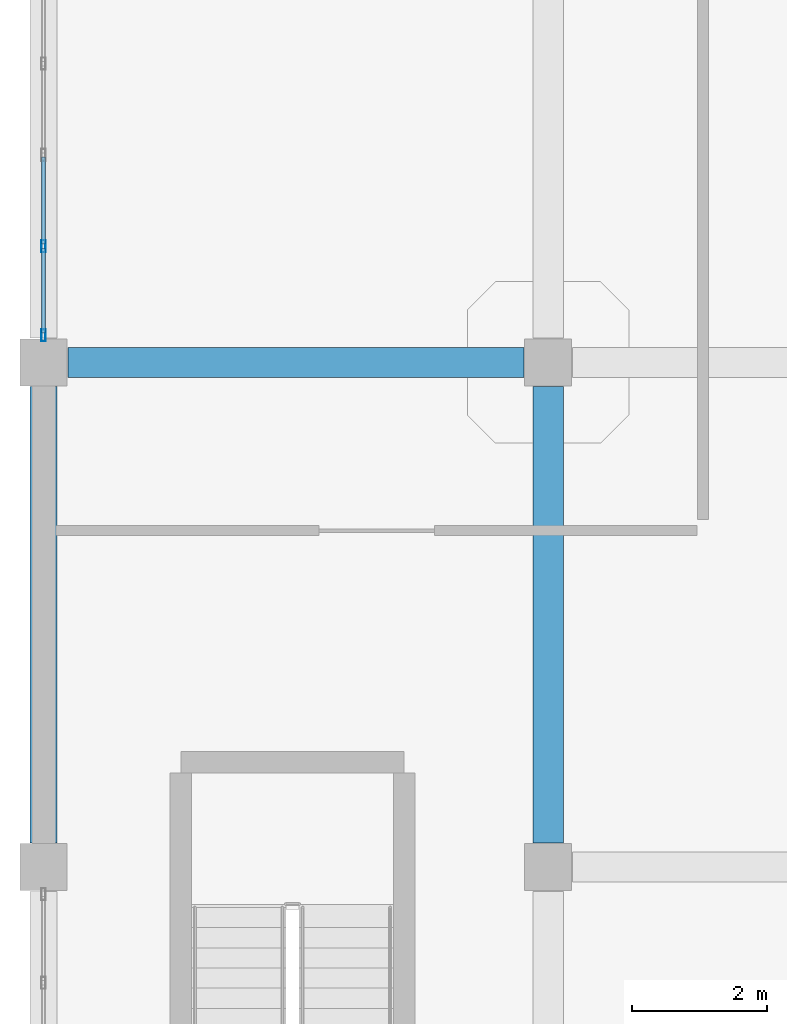
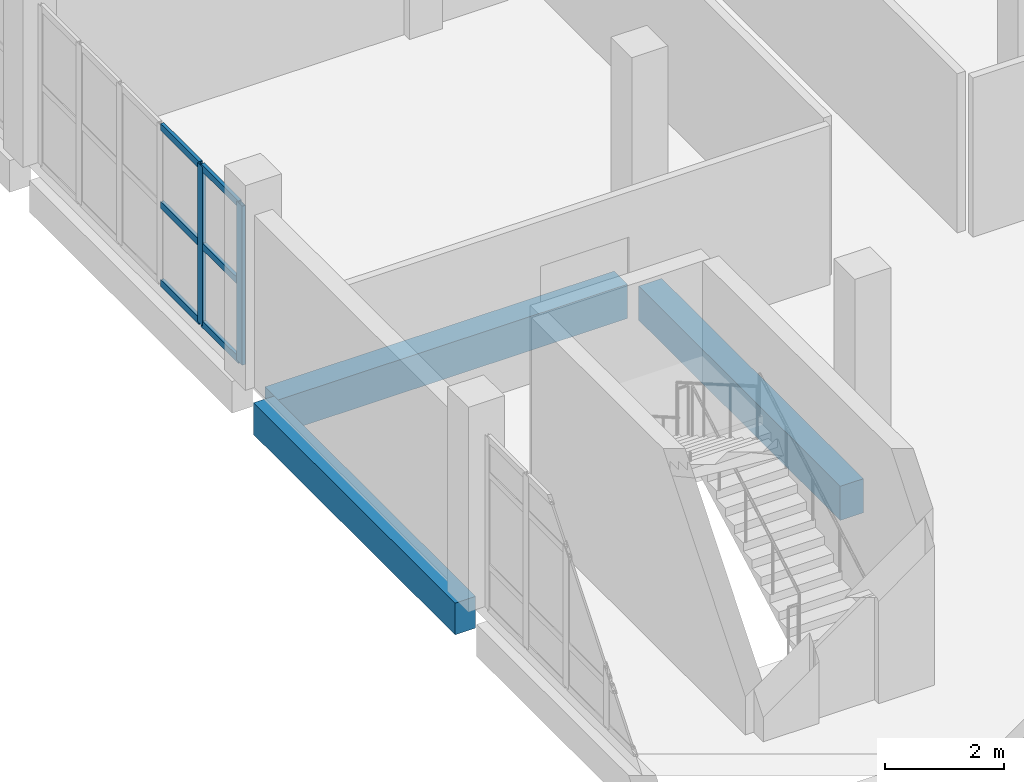
# One storey, part 33 of 164: 8 members, 3 beams, 1 element without a shape of its own.
"""IFC4 building model written with IfcOpenShell, lengths in metres."""

from ifc_helpers import new_model, si_unit, direction, frame, origin, origin_2d, place, context, subcontext, project, spatial, rectangle, hollow_rectangle, extrude, material, layer, layer_set, material_profile, profile_set, type_object, element, aggregate, save


model = new_model("IFC4")

# Units and contexts
model_context = context("Model", 3, precision=1e-05, world=origin(), true_north=direction((0.0, 1.0)))
body_context = subcontext(model_context, "Body", "Model", "MODEL_VIEW")
ifc_project = project(units=[si_unit("LENGTHUNIT", "METRE"), si_unit("AREAUNIT", "SQUARE_METRE"), si_unit("VOLUMEUNIT", "CUBIC_METRE"), si_unit("PLANEANGLEUNIT", "RADIAN"), si_unit("MASSUNIT", "GRAM", prefix="KILO")], contexts=[model_context])

# Site, building, storey
site_placement = place(None, origin())
site = spatial("IfcSite", under=ifc_project, at=site_placement, CompositionType="ELEMENT")
building_placement = place(site_placement, origin())
building = spatial("IfcBuilding", under=site, at=building_placement, Name="Mawjan Specialist Oncology Clinic", CompositionType="ELEMENT")
storey_placement = place(building_placement, frame((0.0, 0.0, 5.0)))
storey = spatial("IfcBuildingStorey", under=building, at=storey_placement, Name="L01", CompositionType="ELEMENT", Elevation=5.0)

# Beams
ifc_material_1 = material(Name="Concrete C40/50", Category="concrete")
ifc_material_profile_1 = material_profile(ifc_material_1, rectangle(XDim=0.449951171875, YDim=0.699951171875, at=origin_2d()), Name="RC BM 450x700", Category="concrete")
ifc_profile_set_1 = profile_set([ifc_material_profile_1], Name="Concrete C40/50")
beam_type_1 = type_object("IfcBeamType", Name="BM-450x700", PredefinedType="BEAM", material=ifc_profile_set_1)
beam_1_placement = place(storey_placement, frame((0.360107421875, 38.300048828125, -0.8701171875), z_axis=(1.0, 0.0, 0.0), x_axis=(0.0, 1.0, 0.0)))
element("IfcBeam", 1, at=beam_1_placement, inside=storey, type_object=beam_type_1, Name="L01 Collector Beam BM-L01-0250", PredefinedType="BEAM", context=body_context, shape_type="SweptSolid", body=[
    extrude(rectangle(XDim=0.449951171875, YDim=0.699951171875, at=origin_2d()), origin(), (0.0, 0.0, 1.0), 6.77978515625),
])
beam_2_placement = place(storey_placement, frame((7.5, 31.159912109375, -0.8701171875), z_axis=(0.0, 1.0, 0.0), x_axis=(-1.0, 0.0, 0.0)))
element("IfcBeam", 2, at=beam_2_placement, inside=storey, type_object=beam_type_1, Name="L01 Collector Beam BM-L01-0431", PredefinedType="BEAM", context=body_context, shape_type="SweptSolid", body=[
    extrude(rectangle(XDim=0.449951171875, YDim=0.699951171875, at=origin_2d()), origin(), (0.0, 0.0, 1.0), 6.780029296875),
])

# Curtain wall, members
ifc_material_2 = material(Name="Unitised spectrally selective aluminium curtain wall", Category="aluminium")
ifc_layer = layer(ifc_material_2, 0.179931640625, Name="Unitised spectrally selective aluminium curtain wall", Category="aluminium")
ifc_layer_set = layer_set([ifc_layer], Name="Unitised spectrally selective aluminium curtain wall")
curtain_wall_type = type_object("IfcCurtainWallType", Name="CW-74", PredefinedType="NOTDEFINED", material=ifc_layer_set)
curtain_wall_placement = place(storey_placement, origin())
curtain_wall = element("IfcCurtainWall", 3, at=curtain_wall_placement, inside=storey, type_object=curtain_wall_type, Name="L01 Unitised Curtain Wall CW-L01-147", PredefinedType="NOTDEFINED")
ifc_material_3 = material(Name="Thermally broken aluminium 6063-T6", Category="aluminium")
ifc_material_profile_2 = material_profile(ifc_material_3, hollow_rectangle(XDim=0.06494140625, YDim=0.179931640625, WallThickness=0.00390625, at=origin_2d()), Name="ALU MULLION 180x65x4", Category="aluminium")
ifc_profile_set_2 = profile_set([ifc_material_profile_2], Name="Thermally broken aluminium 6063-T6")
member_type_1 = type_object("IfcMemberType", Name="CW-M180", PredefinedType="MULLION", material=ifc_profile_set_2)
member_1_placement = place(storey_placement, frame((0.0, 38.702392578125, 0.0), z_axis=(0.0, 0.0, 1.0), x_axis=(-1.0, 0.0, 0.0)))
member_1 = element("IfcMember", 4, at=member_1_placement, type_object=member_type_1, Name="CW-74 mullion 1", PredefinedType="MULLION", context=body_context, shape_type="SweptSolid", body=[
    extrude(hollow_rectangle(XDim=0.06494140625, YDim=0.179931640625, WallThickness=0.00390625, at=origin_2d()), origin(), (0.0, 0.0, 1.0), 3.264892578125),
])
member_2_placement = place(storey_placement, frame((0.0, 40.027099609375, 0.0), z_axis=(0.0, 0.0, 1.0), x_axis=(-1.0, 0.0, 0.0)))
member_2 = element("IfcMember", 5, at=member_2_placement, type_object=member_type_1, Name="CW-74 mullion 2", PredefinedType="MULLION", context=body_context, shape_type="SweptSolid", body=[
    extrude(hollow_rectangle(XDim=0.06494140625, YDim=0.179931640625, WallThickness=0.00390625, at=origin_2d()), origin(), (0.0, 0.0, 1.0), 3.264892578125),
])
ifc_material_4 = material(Name="Thermally broken aluminium 6063-T6", Category="aluminium")
ifc_material_profile_3 = material_profile(ifc_material_4, hollow_rectangle(XDim=0.06494140625, YDim=0.139892578125, WallThickness=0.00390625, at=origin_2d()), Name="ALU TRANSOM 140x65x4", Category="aluminium")
ifc_profile_set_3 = profile_set([ifc_material_profile_3], Name="Thermally broken aluminium 6063-T6")
member_type_2 = type_object("IfcMemberType", Name="CW-T140", PredefinedType="USERDEFINED", material=ifc_profile_set_3)
member_3_placement = place(storey_placement, frame((0.0, 38.735107421875, 0.032470703125), z_axis=(0.0, 1.0, 0.0), x_axis=(-1.0, 0.0, 0.0)))
member_3 = element("IfcMember", 6, at=member_3_placement, type_object=member_type_2, Name="CW-74 transom 1.1", ObjectType="TRANSOM", PredefinedType="USERDEFINED", context=body_context, shape_type="SweptSolid", body=[
    extrude(hollow_rectangle(XDim=0.06494140625, YDim=0.139892578125, WallThickness=0.00390625, at=origin_2d()), origin(), (0.0, 0.0, 1.0), 1.25927734375),
])
member_4_placement = place(storey_placement, frame((0.0, 38.735107421875, 1.632568359375), z_axis=(0.0, 1.0, 0.0), x_axis=(-1.0, 0.0, 0.0)))
member_4 = element("IfcMember", 7, at=member_4_placement, type_object=member_type_2, Name="CW-74 transom 1.2", ObjectType="TRANSOM", PredefinedType="USERDEFINED", context=body_context, shape_type="SweptSolid", body=[
    extrude(hollow_rectangle(XDim=0.06494140625, YDim=0.139892578125, WallThickness=0.00390625, at=origin_2d()), origin(), (0.0, 0.0, 1.0), 1.25927734375),
])
member_5_placement = place(storey_placement, frame((0.0, 38.735107421875, 3.232421875), z_axis=(0.0, 1.0, 0.0), x_axis=(-1.0, 0.0, 0.0)))
member_5 = element("IfcMember", 8, at=member_5_placement, type_object=member_type_2, Name="CW-74 transom 1.3", ObjectType="TRANSOM", PredefinedType="USERDEFINED", context=body_context, shape_type="SweptSolid", body=[
    extrude(hollow_rectangle(XDim=0.06494140625, YDim=0.139892578125, WallThickness=0.00390625, at=origin_2d()), origin(), (0.0, 0.0, 1.0), 1.25927734375),
])
member_6_placement = place(storey_placement, frame((0.0, 40.0595703125, 0.032470703125), z_axis=(0.0, 1.0, 0.0), x_axis=(-1.0, 0.0, 0.0)))
member_6 = element("IfcMember", 9, at=member_6_placement, type_object=member_type_2, Name="CW-74 transom 2.1", ObjectType="TRANSOM", PredefinedType="USERDEFINED", context=body_context, shape_type="SweptSolid", body=[
    extrude(hollow_rectangle(XDim=0.06494140625, YDim=0.139892578125, WallThickness=0.00390625, at=origin_2d()), origin(), (0.0, 0.0, 1.0), 1.2919921875),
])
member_7_placement = place(storey_placement, frame((0.0, 40.0595703125, 1.632568359375), z_axis=(0.0, 1.0, 0.0), x_axis=(-1.0, 0.0, 0.0)))
member_7 = element("IfcMember", 10, at=member_7_placement, type_object=member_type_2, Name="CW-74 transom 2.2", ObjectType="TRANSOM", PredefinedType="USERDEFINED", context=body_context, shape_type="SweptSolid", body=[
    extrude(hollow_rectangle(XDim=0.06494140625, YDim=0.139892578125, WallThickness=0.00390625, at=origin_2d()), origin(), (0.0, 0.0, 1.0), 1.2919921875),
])
member_8_placement = place(storey_placement, frame((0.0, 40.0595703125, 3.232421875), z_axis=(0.0, 1.0, 0.0), x_axis=(-1.0, 0.0, 0.0)))
member_8 = element("IfcMember", 11, at=member_8_placement, type_object=member_type_2, Name="CW-74 transom 2.3", ObjectType="TRANSOM", PredefinedType="USERDEFINED", context=body_context, shape_type="SweptSolid", body=[
    extrude(hollow_rectangle(XDim=0.06494140625, YDim=0.139892578125, WallThickness=0.00390625, at=origin_2d()), origin(), (0.0, 0.0, 1.0), 1.2919921875),
])
aggregate(curtain_wall, [member_1, member_2, member_3, member_4, member_5, member_6, member_7, member_8])

# Beam
ifc_material_5 = material(Name="Concrete C45/55", Category="concrete")
ifc_material_profile_4 = material_profile(ifc_material_5, rectangle(XDim=0.39990234375, YDim=0.64990234375, at=origin_2d()), Name="RC BM 400x650", Category="concrete")
ifc_profile_set_4 = profile_set([ifc_material_profile_4], Name="Concrete C45/55")
beam_type_2 = type_object("IfcBeamType", Name="SP-400x650", PredefinedType="SPANDREL", material=ifc_profile_set_4)
beam_3_placement = place(storey_placement, frame((0.0, 31.159912109375, -0.625), z_axis=(0.0, 1.0, 0.0), x_axis=(-1.0, 0.0, 0.0)))
element("IfcBeam", 12, at=beam_3_placement, inside=storey, type_object=beam_type_2, Name="L01 Spandrel Beam BM-L01-0422", PredefinedType="SPANDREL", context=body_context, shape_type="SweptSolid", body=[
    extrude(rectangle(XDim=0.39990234375, YDim=0.64990234375, at=origin_2d()), origin(), (0.0, 0.0, 1.0), 6.780029296875),
])

save(model, "model.ifc")
